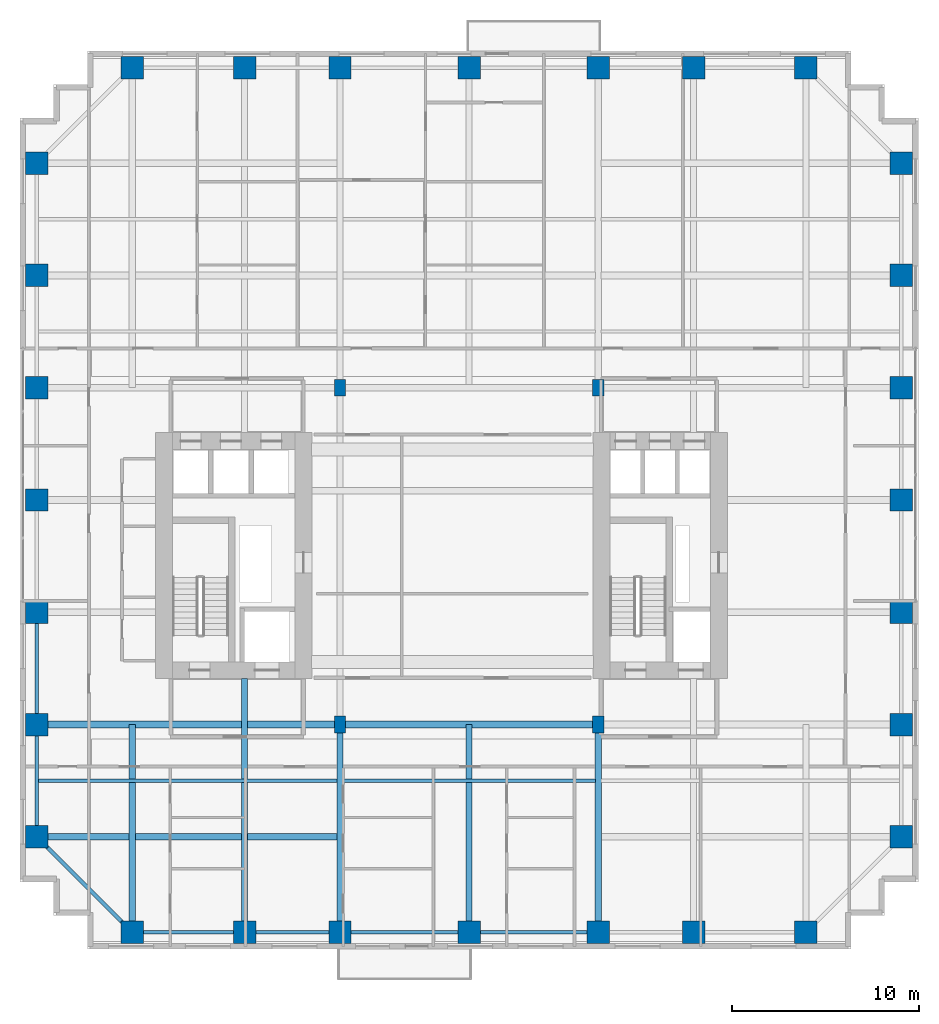
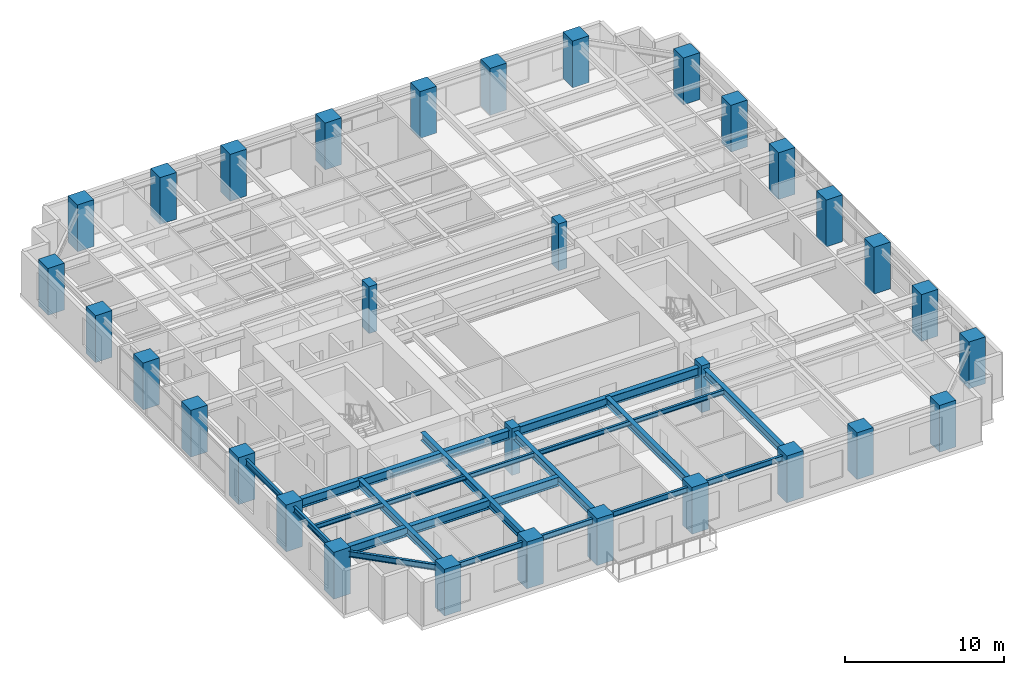
# One storey, part 1 of 19: 32 columns, 17 beams.
"""IFC4 building model written with IfcOpenShell, lengths in metres."""

from ifc_helpers import new_model, si_unit, direction, frame, origin, origin_2d, place, context, subcontext, project, spatial, rectangle, i_section, extrude, source, transform, mapped, material, material_profile, profile_set, type_object, element, save


model = new_model("IFC4")

# Units and contexts
model_context = context("Model", 3, precision=1e-05, world=origin(), true_north=direction((0.0, 1.0)))
body_context = subcontext(model_context, "Body", "Model", "MODEL_VIEW")
ifc_project = project(units=[si_unit("LENGTHUNIT", "METRE"), si_unit("AREAUNIT", "SQUARE_METRE"), si_unit("VOLUMEUNIT", "CUBIC_METRE"), si_unit("PLANEANGLEUNIT", "RADIAN"), si_unit("MASSUNIT", "GRAM", prefix="KILO")], contexts=[model_context])

# Site, building, storey
site_placement = place(None, origin())
site = spatial("IfcSite", under=ifc_project, at=site_placement, CompositionType="ELEMENT")
building_placement = place(site_placement, origin())
building = spatial("IfcBuilding", under=site, at=building_placement, Name="Khoralis Quay Care Tower", CompositionType="ELEMENT")
storey_placement = place(building_placement, frame((0.0, 0.0, 69.300048828125)))
storey = spatial("IfcBuildingStorey", under=building, at=storey_placement, Name="L18", CompositionType="ELEMENT", Elevation=69.300048828125)

# Columns
ifc_material_1 = material(Name="Concrete C80/95", Category="concrete")
ifc_material_profile_1 = material_profile(ifc_material_1, rectangle(XDim=1.199951171875, YDim=1.199951171875, at=origin_2d()), Name="Concrete C80/95")
ifc_profile_set_1 = profile_set([ifc_material_profile_1], Name="Concrete C80/95")
column_type_1 = type_object("IfcColumnType", Name="COL-C1200", PredefinedType="COLUMN", material=ifc_profile_set_1)
shared_shape_1 = source(origin(), body_context, "Body", "SweptSolid", [
    extrude(rectangle(XDim=1.199951171875, YDim=1.199951171875, at=origin_2d()), origin(), (0.0, 0.0, 1.0), 3.599853515625),
])
for number, where, z_axis, x_axis, name in (
    (1, (6.0, 0.89990234375, 0.0), (0.0, 0.0, 1.0), (1.0, 0.0, 0.0), "COL-TWR-L18-01"),
    (2, (6.0, 47.10009765625, 0.0), (0.0, 0.0, 1.0), (1.0, 0.0, 0.0), "COL-TWR-L18-02"),
    (3, (12.0, 0.89990234375, 0.0), (0.0, 0.0, 1.0), (1.0, 0.0, 0.0), "COL-TWR-L18-03"),
    (4, (12.0, 47.10009765625, 0.0), (0.0, 0.0, 1.0), (1.0, 0.0, 0.0), "COL-TWR-L18-04"),
    (5, (17.10009765625, 0.89990234375, 0.0), (0.0, 0.0, 1.0), (1.0, 0.0, 0.0), "COL-TWR-L18-05"),
    (6, (17.10009765625, 47.10009765625, 0.0), (0.0, 0.0, 1.0), (1.0, 0.0, 0.0), "COL-TWR-L18-06"),
    (7, (24.0, 0.89990234375, 0.0), (0.0, 0.0, 1.0), (1.0, 0.0, 0.0), "COL-TWR-L18-07"),
    (8, (24.0, 47.10009765625, 0.0), (0.0, 0.0, 1.0), (1.0, 0.0, 0.0), "COL-TWR-L18-08"),
    (9, (30.89990234375, 0.89990234375, 0.0), (0.0, 0.0, 1.0), (1.0, 0.0, 0.0), "COL-TWR-L18-09"),
    (10, (30.89990234375, 47.10009765625, 0.0), (0.0, 0.0, 1.0), (1.0, 0.0, 0.0), "COL-TWR-L18-10"),
    (11, (36.0, 0.89990234375, 0.0), (0.0, 0.0, 1.0), (1.0, 0.0, 0.0), "COL-TWR-L18-11"),
    (12, (36.0, 47.10009765625, 0.0), (0.0, 0.0, 1.0), (1.0, 0.0, 0.0), "COL-TWR-L18-12"),
    (13, (42.0, 0.89990234375, 0.0), (0.0, 0.0, 1.0), (1.0, 0.0, 0.0), "COL-TWR-L18-13"),
    (14, (42.0, 47.10009765625, 0.0), (0.0, 0.0, 1.0), (1.0, 0.0, 0.0), "COL-TWR-L18-14"),
    (15, (0.89990234375, 6.0, 0.0), (0.0, 0.0, 1.0), (1.0, 0.0, 0.0), "COL-TWR-L18-15"),
    (16, (47.10009765625, 6.0, 0.0), (0.0, 0.0, 1.0), (1.0, 0.0, 0.0), "COL-TWR-L18-16"),
    (17, (0.89990234375, 12.0, 0.0), (0.0, 0.0, 1.0), (1.0, 0.0, 0.0), "COL-TWR-L18-17"),
    (18, (47.10009765625, 12.0, 0.0), (0.0, 0.0, 1.0), (1.0, 0.0, 0.0), "COL-TWR-L18-18"),
    (19, (0.89990234375, 18.0, 0.0), (0.0, 0.0, 1.0), (1.0, 0.0, 0.0), "COL-TWR-L18-19"),
    (20, (47.10009765625, 18.0, 0.0), (0.0, 0.0, 1.0), (1.0, 0.0, 0.0), "COL-TWR-L18-20"),
    (21, (0.89990234375, 24.0, 0.0), (0.0, 0.0, 1.0), (1.0, 0.0, 0.0), "COL-TWR-L18-21"),
    (22, (47.10009765625, 24.0, 0.0), (0.0, 0.0, 1.0), (1.0, 0.0, 0.0), "COL-TWR-L18-22"),
    (23, (0.89990234375, 30.0, 0.0), (0.0, 0.0, 1.0), (1.0, 0.0, 0.0), "COL-TWR-L18-23"),
    (24, (47.10009765625, 30.0, 0.0), (0.0, 0.0, 1.0), (1.0, 0.0, 0.0), "COL-TWR-L18-24"),
    (25, (0.89990234375, 36.0, 0.0), (0.0, 0.0, 1.0), (1.0, 0.0, 0.0), "COL-TWR-L18-25"),
    (26, (47.10009765625, 36.0, 0.0), (0.0, 0.0, 1.0), (1.0, 0.0, 0.0), "COL-TWR-L18-26"),
    (27, (0.89990234375, 42.0, 0.0), (0.0, 0.0, 1.0), (1.0, 0.0, 0.0), "COL-TWR-L18-27"),
    (28, (47.10009765625, 42.0, 0.0), (0.0, 0.0, 1.0), (1.0, 0.0, 0.0), "COL-TWR-L18-28"),
):
    element("IfcColumn", number, at=place(storey_placement, frame(where, z_axis=z_axis, x_axis=x_axis)), inside=storey, type_object=column_type_1, Name=name, PredefinedType="COLUMN", context=body_context, shape_type="MappedRepresentation", body=[
        mapped(shared_shape_1, transform((0.0, 0.0, 0.0), scale=1.0)),
    ])
ifc_material_2 = material(Name="Concrete C65/80", Category="concrete")
ifc_material_profile_2 = material_profile(ifc_material_2, rectangle(XDim=0.60009765625, YDim=0.89990234375, at=origin_2d()), Name="Concrete C65/80")
ifc_profile_set_2 = profile_set([ifc_material_profile_2], Name="Concrete C65/80")
column_type_2 = type_object("IfcColumnType", Name="COL-C600X900", PredefinedType="COLUMN", material=ifc_profile_set_2)
shared_shape_2 = source(origin(), body_context, "Body", "SweptSolid", [
    extrude(rectangle(XDim=0.60009765625, YDim=0.89990234375, at=origin_2d()), origin(), (0.0, 0.0, 1.0), 3.599853515625),
])
for number, where, z_axis, x_axis, name in (
    (29, (17.10009765625, 12.0, 0.0), (0.0, 0.0, 1.0), (1.0, 0.0, 0.0), "COL-TWR-L18-29"),
    (30, (17.10009765625, 30.0, 0.0), (0.0, 0.0, 1.0), (1.0, 0.0, 0.0), "COL-TWR-L18-30"),
    (31, (30.89990234375, 12.0, 0.0), (0.0, 0.0, 1.0), (1.0, 0.0, 0.0), "COL-TWR-L18-31"),
    (32, (30.89990234375, 30.0, 0.0), (0.0, 0.0, 1.0), (1.0, 0.0, 0.0), "COL-TWR-L18-32"),
):
    element("IfcColumn", number, at=place(storey_placement, frame(where, z_axis=z_axis, x_axis=x_axis)), inside=storey, type_object=column_type_2, Name=name, PredefinedType="COLUMN", context=body_context, shape_type="MappedRepresentation", body=[
        mapped(shared_shape_2, transform((0.0, 0.0, 0.0), scale=1.0)),
    ])

# Beams
ifc_material_3 = material(Name="Steel S355", Category="steel")
ifc_material_profile_3 = material_profile(ifc_material_3, i_section(OverallWidth=0.18994140625, OverallDepth=0.449951171875, WebThickness=0.009521484375, FlangeThickness=0.0146484375, FilletRadius=0.02099609375, at=origin_2d()), Name="Steel S355")
ifc_profile_set_3 = profile_set([ifc_material_profile_3], Name="Steel S355")
beam_type_1 = type_object("IfcBeamType", Name="BM-IPE450", PredefinedType="SPANDREL", material=ifc_profile_set_3)
shared_shape_3 = source(origin(), body_context, "Body", "SweptSolid", [
    extrude(i_section(OverallWidth=0.18994140625, OverallDepth=0.449951171875, WebThickness=0.009521484375, FlangeThickness=0.0146484375, FilletRadius=0.02099609375, at=origin_2d()), origin(), (0.0, 0.0, 1.0), 6.0),
])
for number, where, z_axis, x_axis, name in (
    (33, (6.0, 0.89990234375, 3.094970703125), (1.0, 0.0, 0.0), (0.0, 1.0, 0.0), "BM-TSP-L18-01"),
    (34, (0.89990234375, 6.0, 3.094970703125), (0.0, 1.0, 0.0), (-1.0, 0.0, 0.0), "BM-TSP-L18-13"),
    (35, (0.89990234375, 12.0, 3.094970703125), (0.0, 1.0, 0.0), (-1.0, 0.0, 0.0), "BM-TSP-L18-14"),
):
    element("IfcBeam", number, at=place(storey_placement, frame(where, z_axis=z_axis, x_axis=x_axis)), inside=storey, type_object=beam_type_1, Name=name, PredefinedType="SPANDREL", context=body_context, shape_type="MappedRepresentation", body=[
        mapped(shared_shape_3, transform((0.0, 0.0, 0.0), scale=1.0)),
    ])
shared_shape_4 = source(origin(), body_context, "Body", "SweptSolid", [
    extrude(i_section(OverallWidth=0.18994140625, OverallDepth=0.449951171875, WebThickness=0.009521484375, FlangeThickness=0.0146484375, FilletRadius=0.02099609375, at=origin_2d()), origin(), (0.0, 0.0, 1.0), 5.10009765625),
])
beam_1_placement = place(storey_placement, frame((12.0, 0.89990234375, 3.094970703125), z_axis=(1.0, 0.0, 0.0), x_axis=(0.0, 1.0, 0.0)))
element("IfcBeam", 36, at=beam_1_placement, inside=storey, type_object=beam_type_1, Name="BM-TSP-L18-02", PredefinedType="SPANDREL", context=body_context, shape_type="MappedRepresentation", body=[
    mapped(shared_shape_4, transform((0.0, 0.0, 0.0), scale=1.0)),
])
shared_shape_5 = source(origin(), body_context, "Body", "SweptSolid", [
    extrude(i_section(OverallWidth=0.18994140625, OverallDepth=0.449951171875, WebThickness=0.009521484375, FlangeThickness=0.0146484375, FilletRadius=0.02099609375, at=origin_2d()), origin(), (0.0, 0.0, 1.0), 6.89990234375),
])
for number, where, z_axis, x_axis, name in (
    (37, (17.10009765625, 0.89990234375, 3.094970703125), (1.0, 0.0, 0.0), (0.0, 1.0, 0.0), "BM-TSP-L18-03"),
    (38, (24.0, 0.89990234375, 3.094970703125), (1.0, 0.0, 0.0), (0.0, 1.0, 0.0), "BM-TSP-L18-04"),
):
    element("IfcBeam", number, at=place(storey_placement, frame(where, z_axis=z_axis, x_axis=x_axis)), inside=storey, type_object=beam_type_1, Name=name, PredefinedType="SPANDREL", context=body_context, shape_type="MappedRepresentation", body=[
        mapped(shared_shape_5, transform((0.0, 0.0, 0.0), scale=1.0)),
    ])
shared_shape_6 = source(origin(), body_context, "Body", "SweptSolid", [
    extrude(i_section(OverallWidth=0.18994140625, OverallDepth=0.449951171875, WebThickness=0.009521484375, FlangeThickness=0.0146484375, FilletRadius=0.02099609375, at=origin_2d()), origin(), (0.0, 0.0, 1.0), 7.212646484375),
])
beam_2_placement = place(storey_placement, frame((6.0, 0.89990234375, 3.094970703125), z_axis=(-0.707106781187, 0.707106781187, 0.0), x_axis=(-0.707106781187, -0.707106781187, 0.0)))
element("IfcBeam", 39, at=beam_2_placement, inside=storey, type_object=beam_type_1, Name="BM-TCR-L18-25", PredefinedType="SPANDREL", context=body_context, shape_type="MappedRepresentation", body=[
    mapped(shared_shape_6, transform((0.0, 0.0, 0.0), scale=1.0)),
])
ifc_material_profile_4 = material_profile(ifc_material_3, i_section(OverallWidth=0.35498046875, OverallDepth=0.695068359375, WebThickness=0.015380859375, FlangeThickness=0.02490234375, FilletRadius=0.02001953125, at=origin_2d()), Name="Steel S355")
ifc_profile_set_4 = profile_set([ifc_material_profile_4], Name="Steel S355")
beam_type_2 = type_object("IfcBeamType", Name="BM-W690X217", PredefinedType="BEAM", material=ifc_profile_set_4)
shared_shape_7 = source(origin(), body_context, "Body", "SweptSolid", [
    extrude(i_section(OverallWidth=0.35498046875, OverallDepth=0.695068359375, WebThickness=0.015380859375, FlangeThickness=0.02490234375, FilletRadius=0.02001953125, at=origin_2d()), origin(), (0.0, 0.0, 1.0), 16.049560546875),
])
beam_3_placement = place(storey_placement, frame((0.89990234375, 6.0, 2.972412109375), z_axis=(1.0, 0.0, 0.0), x_axis=(0.0, 1.0, 0.0)))
element("IfcBeam", 40, at=beam_3_placement, inside=storey, type_object=beam_type_2, Name="BM-TGXW-L18-60", PredefinedType="BEAM", context=body_context, shape_type="MappedRepresentation", body=[
    mapped(shared_shape_7, transform((0.0, 0.0, 0.0), scale=1.0)),
])
shared_shape_8 = source(origin(), body_context, "Body", "SweptSolid", [
    extrude(i_section(OverallWidth=0.35498046875, OverallDepth=0.695068359375, WebThickness=0.015380859375, FlangeThickness=0.02490234375, FilletRadius=0.02001953125, at=origin_2d()), origin(), (0.0, 0.0, 1.0), 16.2001953125),
])
beam_4_placement = place(storey_placement, frame((0.89990234375, 12.0, 2.972412109375), z_axis=(1.0, 0.0, 0.0), x_axis=(0.0, 1.0, 0.0)))
element("IfcBeam", 41, at=beam_4_placement, inside=storey, type_object=beam_type_2, Name="BM-TGXW-L18-120", PredefinedType="BEAM", context=body_context, shape_type="MappedRepresentation", body=[
    mapped(shared_shape_8, transform((0.0, 0.0, 0.0), scale=1.0)),
])
shared_shape_9 = source(origin(), body_context, "Body", "SweptSolid", [
    extrude(i_section(OverallWidth=0.35498046875, OverallDepth=0.695068359375, WebThickness=0.015380859375, FlangeThickness=0.02490234375, FilletRadius=0.02001953125, at=origin_2d()), origin(), (0.0, 0.0, 1.0), 13.7998046875),
])
beam_5_placement = place(storey_placement, frame((17.10009765625, 12.0, 2.972412109375), z_axis=(1.0, 0.0, 0.0), x_axis=(0.0, 1.0, 0.0)))
element("IfcBeam", 42, at=beam_5_placement, inside=storey, type_object=beam_type_2, Name="BM-TGCC-L18-120", PredefinedType="BEAM", context=body_context, shape_type="MappedRepresentation", body=[
    mapped(shared_shape_9, transform((0.0, 0.0, 0.0), scale=1.0)),
])
ifc_material_profile_5 = material_profile(ifc_material_3, i_section(OverallWidth=0.324951171875, OverallDepth=0.615966796875, WebThickness=0.013916015625, FlangeThickness=0.021484375, FilletRadius=0.01806640625, at=origin_2d()), Name="Steel S355")
ifc_profile_set_5 = profile_set([ifc_material_profile_5], Name="Steel S355")
beam_type_3 = type_object("IfcBeamType", Name="BM-W610X174", PredefinedType="BEAM", material=ifc_profile_set_5)
shared_shape_10 = source(origin(), body_context, "Body", "SweptSolid", [
    extrude(i_section(OverallWidth=0.324951171875, OverallDepth=0.615966796875, WebThickness=0.013916015625, FlangeThickness=0.021484375, FilletRadius=0.01806640625, at=origin_2d()), origin(), (0.0, 0.0, 1.0), 11.10009765625),
])
for number, where, z_axis, x_axis, name in (
    (43, (6.0, 0.89990234375, 3.011962890625), (0.0, 1.0, 0.0), (-1.0, 0.0, 0.0), "BM-TGYS-L18-60"),
    (44, (17.10009765625, 0.89990234375, 3.011962890625), (0.0, 1.0, 0.0), (-1.0, 0.0, 0.0), "BM-TGYS-L18-171"),
    (45, (24.0, 0.89990234375, 3.011962890625), (0.0, 1.0, 0.0), (-1.0, 0.0, 0.0), "BM-TGYS-L18-240"),
    (46, (30.89990234375, 0.89990234375, 3.011962890625), (0.0, 1.0, 0.0), (-1.0, 0.0, 0.0), "BM-TGYS-L18-309"),
):
    element("IfcBeam", number, at=place(storey_placement, frame(where, z_axis=z_axis, x_axis=x_axis)), inside=storey, type_object=beam_type_3, Name=name, PredefinedType="BEAM", context=body_context, shape_type="MappedRepresentation", body=[
        mapped(shared_shape_10, transform((0.0, 0.0, 0.0), scale=1.0)),
    ])
shared_shape_11 = source(origin(), body_context, "Body", "SweptSolid", [
    extrude(i_section(OverallWidth=0.324951171875, OverallDepth=0.615966796875, WebThickness=0.013916015625, FlangeThickness=0.021484375, FilletRadius=0.01806640625, at=origin_2d()), origin(), (0.0, 0.0, 1.0), 13.552001953125),
])
beam_6_placement = place(storey_placement, frame((12.0, 0.89990234375, 3.011962890625), z_axis=(0.0, 1.0, 0.0), x_axis=(-1.0, 0.0, 0.0)))
element("IfcBeam", 47, at=beam_6_placement, inside=storey, type_object=beam_type_3, Name="BM-TGYS-L18-120", PredefinedType="BEAM", context=body_context, shape_type="MappedRepresentation", body=[
    mapped(shared_shape_11, transform((0.0, 0.0, 0.0), scale=1.0)),
])
ifc_material_profile_6 = material_profile(ifc_material_3, i_section(OverallWidth=0.1708984375, OverallDepth=0.35498046875, WebThickness=0.007080078125, FlangeThickness=0.01171875, FilletRadius=0.012939453125, at=origin_2d()), Name="Steel S355")
ifc_profile_set_6 = profile_set([ifc_material_profile_6], Name="Steel S355")
beam_type_4 = type_object("IfcBeamType", Name="BM-W360X51", PredefinedType="JOIST", material=ifc_profile_set_6)
shared_shape_12 = source(origin(), body_context, "Body", "SweptSolid", [
    extrude(i_section(OverallWidth=0.1708984375, OverallDepth=0.35498046875, WebThickness=0.007080078125, FlangeThickness=0.01171875, FilletRadius=0.012939453125, at=origin_2d()), origin(), (0.0, 0.0, 1.0), 15.968505859375),
])
beam_7_placement = place(storey_placement, frame((0.98095703125, 9.0, 3.142333984375), z_axis=(1.0, 0.0, 0.0), x_axis=(0.0, 1.0, 0.0)))
element("IfcBeam", 48, at=beam_7_placement, inside=storey, type_object=beam_type_4, Name="BM-TJS-L18-29", PredefinedType="JOIST", context=body_context, shape_type="MappedRepresentation", body=[
    mapped(shared_shape_12, transform((0.0, 0.0, 0.0), scale=1.0)),
])
shared_shape_13 = source(origin(), body_context, "Body", "SweptSolid", [
    extrude(i_section(OverallWidth=0.1708984375, OverallDepth=0.35498046875, WebThickness=0.007080078125, FlangeThickness=0.01171875, FilletRadius=0.012939453125, at=origin_2d()), origin(), (0.0, 0.0, 1.0), 13.4990234375),
])
beam_8_placement = place(storey_placement, frame((17.25048828125, 9.0, 3.142333984375), z_axis=(1.0, 0.0, 0.0), x_axis=(0.0, 1.0, 0.0)))
element("IfcBeam", 49, at=beam_8_placement, inside=storey, type_object=beam_type_4, Name="BM-TJS-L18-31", PredefinedType="JOIST", context=body_context, shape_type="MappedRepresentation", body=[
    mapped(shared_shape_13, transform((0.0, 0.0, 0.0), scale=1.0)),
])

save(model, "model.ifc")
